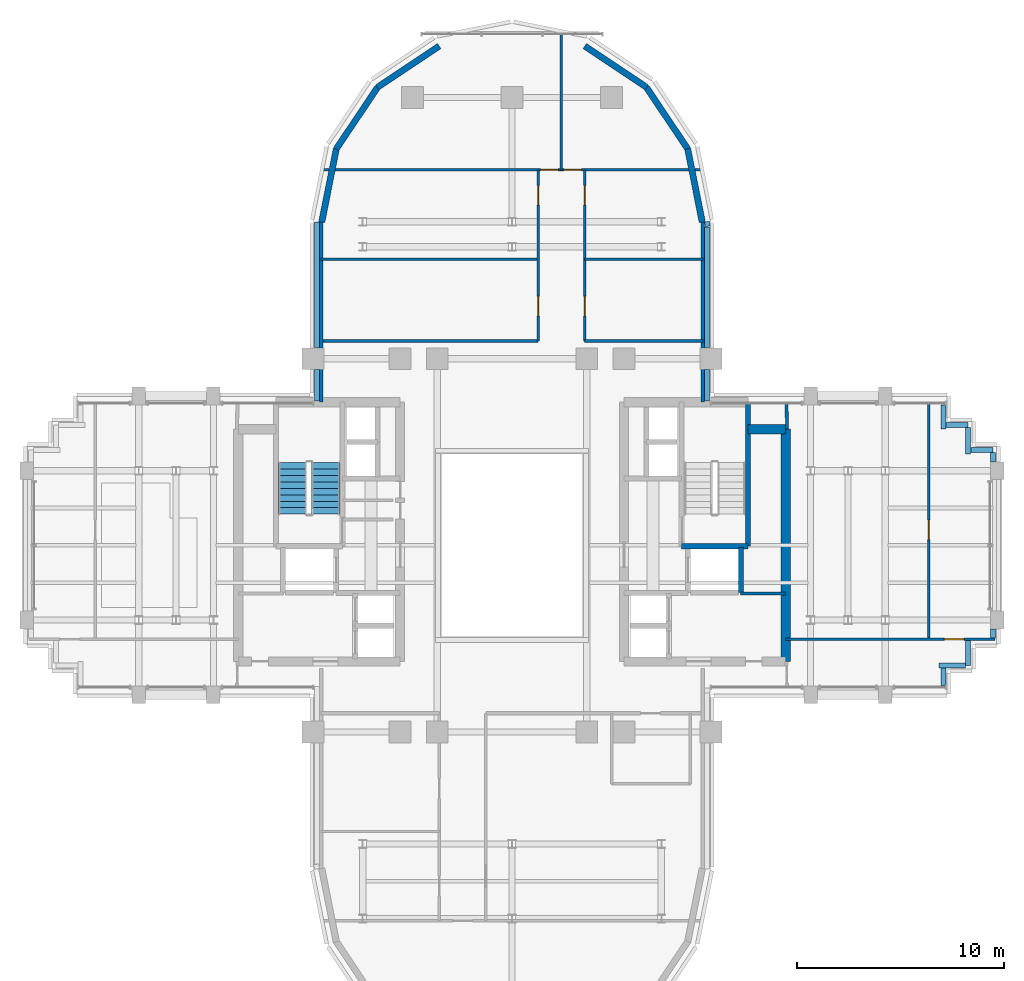
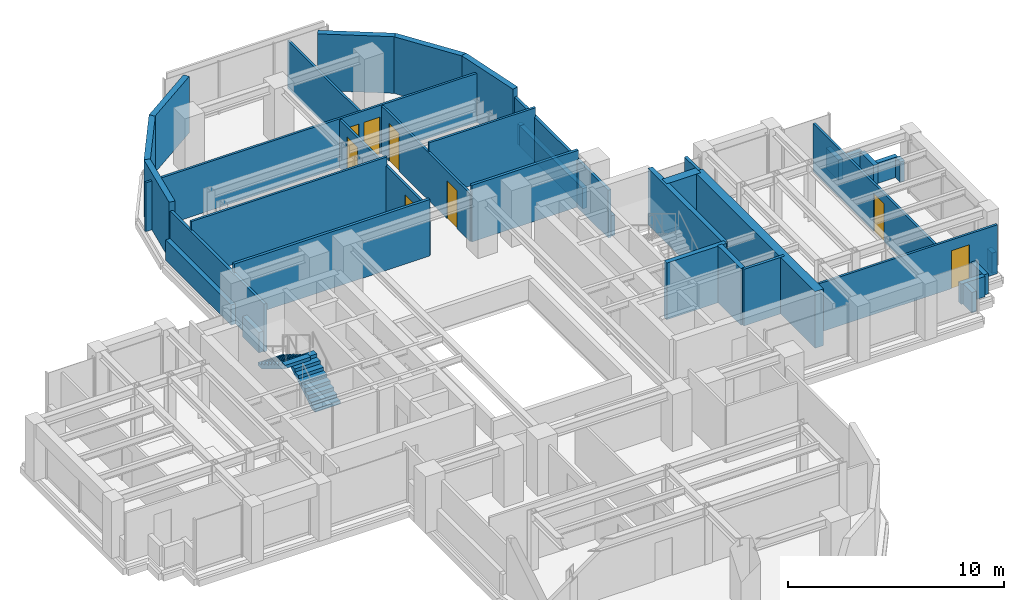
# One storey, part 10 of 14: 39 walls, 8 doors, 2 stair flights, 8 openings, 1 element without a shape of its own.
"""IFC4 building model written with IfcOpenShell, lengths in metres."""

from ifc_helpers import new_model, si_unit, direction, frame, frame_2d, origin, place, context, subcontext, project, spatial, polyline, rectangle, outline, extrude, source, transform, mapped, material, layer, layer_set, type_object, element, fill, aggregate, save


model = new_model("IFC4")

# Units and contexts
model_context = context("Model", 3, precision=1e-05, world=origin(), true_north=direction((0.0, 1.0)))
body_context = subcontext(model_context, "Body", "Model", "MODEL_VIEW")
ifc_project = project(units=[si_unit("LENGTHUNIT", "METRE"), si_unit("AREAUNIT", "SQUARE_METRE"), si_unit("VOLUMEUNIT", "CUBIC_METRE"), si_unit("PLANEANGLEUNIT", "RADIAN"), si_unit("MASSUNIT", "GRAM", prefix="KILO")], contexts=[model_context])

# Site, building, storey
site_placement = place(None, origin())
site = spatial("IfcSite", under=ifc_project, at=site_placement, CompositionType="ELEMENT")
building_placement = place(site_placement, origin())
building = spatial("IfcBuilding", under=site, at=building_placement, Name="Keilestroom Media Tower", CompositionType="ELEMENT")
storey_placement = place(building_placement, frame((0.0, 0.0, 110.800048828125)))
storey = spatial("IfcBuildingStorey", under=building, at=storey_placement, Name="L29", CompositionType="ELEMENT", Elevation=110.800048828125)

# Walls
ifc_material_1 = material(Name="Precast concrete C40/50", Category="concrete")
ifc_layer_1 = layer(ifc_material_1, 0.300048828125)
ifc_layer_set_1 = layer_set([ifc_layer_1], Name="Precast concrete C40/50")
wall_type_1 = type_object("IfcWallType", Name="Exterior-Masonry-Spandrel-Wall-300", PredefinedType="SOLIDWALL", material=ifc_layer_set_1)
for number, where, z_axis, x_axis, name in (
    (1, (9.1748046875, 15.585205078125, 0.0), (0.0, 0.0, 1.0), (-0.195114232679, 0.980780523974, 0.0), "L29 Lobe Facet Precast Frame Wall 01"),
    (2, (8.48193359375, 19.097412109375, 0.0), (0.0, 0.0, 1.0), (-0.555574187116, 0.831466970246, 0.0), "L29 Lobe Facet Precast Frame Wall 02"),
):
    element("IfcWall", number, at=place(storey_placement, frame(where, z_axis=z_axis, x_axis=x_axis)), inside=storey, type_object=wall_type_1, Name=name, PredefinedType="SOLIDWALL", context=body_context, shape_type="SweptSolid", body=[
        extrude(rectangle(XDim=3.608642578125, YDim=0.300048828125, at=frame_2d((1.80419921875, 0.0))), origin(), (0.0, 0.0, 1.0), 3.199951171875),
    ])
for number, where, z_axis, x_axis, name in (
    (3, (6.497802734375, 22.0771484375, 0.0), (0.0, 0.0, 1.0), (-0.8314749531, 0.555562239868, 0.0), "L29 Lobe Facet Precast Frame Wall 03"),
    (4, (-3.510009765625, 24.073486328125, 0.0), (0.0, 0.0, 1.0), (-0.8314749531, -0.555562239868, 0.0), "L29 Lobe Facet Precast Frame Wall 04"),
):
    element("IfcWall", number, at=place(storey_placement, frame(where, z_axis=z_axis, x_axis=x_axis)), inside=storey, type_object=wall_type_1, Name=name, PredefinedType="SOLIDWALL", context=body_context, shape_type="SweptSolid", body=[
        extrude(rectangle(XDim=3.59326171875, YDim=0.300048828125, at=frame_2d((1.796630859375, 0.0))), origin(), (0.0, 0.0, 1.0), 3.199951171875),
    ])
for number, where, z_axis, x_axis, name in (
    (5, (-6.47705078125, 22.097900390625, 0.0), (0.0, 0.0, 1.0), (-0.555574187116, -0.831466970246, 0.0), "L29 Lobe Facet Precast Frame Wall 05"),
    (6, (-8.470703125, 19.12451171875, 0.0), (0.0, 0.0, 1.0), (-0.195114232679, -0.980780523974, 0.0), "L29 Lobe Facet Precast Frame Wall 06"),
):
    element("IfcWall", number, at=place(storey_placement, frame(where, z_axis=z_axis, x_axis=x_axis)), inside=storey, type_object=wall_type_1, Name=name, PredefinedType="SOLIDWALL", context=body_context, shape_type="SweptSolid", body=[
        extrude(rectangle(XDim=3.608642578125, YDim=0.300048828125, at=frame_2d((1.80419921875, 0.0))), origin(), (0.0, 0.0, 1.0), 3.199951171875),
    ])

# Wall, openings, doors
ifc_material_2 = material(Name="Gypsum Plasterboard & Steel Stud", Category="steel")
ifc_layer_2 = layer(ifc_material_2, 0.1201171875)
ifc_layer_set_2 = layer_set([ifc_layer_2], Name="Gypsum Plasterboard & Steel Stud")
wall_type_2 = type_object("IfcWallType", Name="Interior-Partition-Wall-120", PredefinedType="PARTITIONING", material=ifc_layer_set_2)
wall_1_placement = place(storey_placement, frame((1.260009765625, 9.85009765625, 0.0), z_axis=(0.0, 0.0, 1.0), x_axis=(0.0, 1.0, 0.0)))
wall_1 = element("IfcWall", 7, at=wall_1_placement, inside=storey, type_object=wall_type_2, Name="L29 Interior Wall WP-L29-NL-SPW", PredefinedType="PARTITIONING", context=body_context, shape_type="SweptSolid", body=[
    extrude(rectangle(XDim=8.25, YDim=0.1201171875, at=frame_2d((4.125, 0.0))), origin(), (0.0, 0.0, 1.0), 2.699951171875),
])
opening_1_placement = place(wall_1_placement, frame((1.199951171875, 0.0, 0.0)))
opening_1 = element("IfcOpeningElement", 8, at=opening_1_placement, cuts=wall_1, Name="Opening DI-03", PredefinedType="OPENING", context=body_context, shape_type="SweptSolid", body=[
    extrude(rectangle(XDim=0.949951171875, YDim=2.14990234375, at=frame_2d((0.47509765625, 1.074951171875))), frame((0.0, 0.070068359375, 0.0), z_axis=(0.0, -1.0, 0.0), x_axis=(1.0, 0.0, 0.0)), (0.0, 0.0, 1.0), 0.14013671875),
])
opening_2_placement = place(wall_1_placement, frame((6.550048828125, 0.0, 0.0)))
opening_2 = element("IfcOpeningElement", 9, at=opening_2_placement, cuts=wall_1, Name="Opening DI-03", PredefinedType="OPENING", context=body_context, shape_type="SweptSolid", body=[
    extrude(rectangle(XDim=0.949951171875, YDim=2.14990234375, at=frame_2d((0.47509765625, 1.074951171875))), frame((0.0, 0.070068359375, 0.0), z_axis=(0.0, -1.0, 0.0), x_axis=(1.0, 0.0, 0.0)), (0.0, 0.0, 1.0), 0.14013671875),
])
ifc_material_3 = material(Name="Lacquered European Oak Leaf", Category="wood")
door_type_1 = type_object("IfcDoorType", Name="Interior-Room-And-Suite-Door-DI-03", OperationType="NOTDEFINED", PredefinedType="DOOR", material=ifc_material_3)
shared_shape_1 = source(origin(), body_context, "Body", "SweptSolid", [
    extrude(rectangle(XDim=0.949951171875, YDim=2.14990234375, at=frame_2d((0.47509765625, 1.074951171875))), frame((0.0, 0.02490234375, 0.0), z_axis=(0.0, -1.0, 0.0), x_axis=(1.0, 0.0, 0.0)), (0.0, 0.0, 1.0), 0.050048828125),
])
door_1_placement = place(opening_1_placement, origin())
door_1 = element("IfcDoor", 10, at=door_1_placement, inside=storey, type_object=door_type_1, Name="L29 Interior Door DI-L29-DNL-W1", OperationType="SINGLE_SWING_LEFT", OverallHeight=2.14990234375, OverallWidth=0.949951171875, PredefinedType="DOOR", context=body_context, shape_type="MappedRepresentation", body=[
    mapped(shared_shape_1, transform((0.0, 0.0, 0.0), x_axis=(1.0, 0.0, 0.0), y_axis=(0.0, 1.0, 0.0), z_axis=(0.0, 0.0, 1.0), scale=1.0)),
])
fill(opening_1, door_1)
door_2_placement = place(opening_2_placement, origin())
door_2 = element("IfcDoor", 11, at=door_2_placement, inside=storey, type_object=door_type_1, Name="L29 Interior Door DI-L29-DNL-W2", OperationType="SINGLE_SWING_RIGHT", OverallHeight=2.14990234375, OverallWidth=0.949951171875, PredefinedType="DOOR", context=body_context, shape_type="MappedRepresentation", body=[
    mapped(shared_shape_1, transform((0.0, 0.0, 0.0), x_axis=(1.0, 0.0, 0.0), y_axis=(0.0, 1.0, 0.0), z_axis=(0.0, 0.0, 1.0), scale=1.0)),
])
fill(opening_2, door_2)

wall_2_placement = place(storey_placement, frame((3.5, 9.85009765625, 0.0), z_axis=(0.0, 0.0, 1.0), x_axis=(0.0, 1.0, 0.0)))
wall_2 = element("IfcWall", 12, at=wall_2_placement, inside=storey, type_object=wall_type_2, Name="L29 Interior Wall WP-L29-NL-SPE", PredefinedType="PARTITIONING", context=body_context, shape_type="SweptSolid", body=[
    extrude(rectangle(XDim=8.25, YDim=0.1201171875, at=frame_2d((4.125, 0.0))), origin(), (0.0, 0.0, 1.0), 2.699951171875),
])
opening_3_placement = place(wall_2_placement, frame((1.199951171875, 0.0, 0.0)))
opening_3 = element("IfcOpeningElement", 13, at=opening_3_placement, cuts=wall_2, Name="Opening DI-03", PredefinedType="OPENING", context=body_context, shape_type="SweptSolid", body=[
    extrude(rectangle(XDim=0.949951171875, YDim=2.14990234375, at=frame_2d((0.47509765625, 1.074951171875))), frame((0.0, 0.070068359375, 0.0), z_axis=(0.0, -1.0, 0.0), x_axis=(1.0, 0.0, 0.0)), (0.0, 0.0, 1.0), 0.14013671875),
])
opening_4_placement = place(wall_2_placement, frame((6.550048828125, 0.0, 0.0)))
opening_4 = element("IfcOpeningElement", 14, at=opening_4_placement, cuts=wall_2, Name="Opening DI-03", PredefinedType="OPENING", context=body_context, shape_type="SweptSolid", body=[
    extrude(rectangle(XDim=0.949951171875, YDim=2.14990234375, at=frame_2d((0.47509765625, 1.074951171875))), frame((0.0, 0.070068359375, 0.0), z_axis=(0.0, -1.0, 0.0), x_axis=(1.0, 0.0, 0.0)), (0.0, 0.0, 1.0), 0.14013671875),
])
door_3_placement = place(opening_3_placement, origin())
door_3 = element("IfcDoor", 15, at=door_3_placement, inside=storey, type_object=door_type_1, Name="L29 Interior Door DI-L29-DNL-E1", OperationType="SINGLE_SWING_LEFT", OverallHeight=2.14990234375, OverallWidth=0.949951171875, PredefinedType="DOOR", context=body_context, shape_type="MappedRepresentation", body=[
    mapped(shared_shape_1, transform((0.0, 0.0, 0.0), x_axis=(1.0, 0.0, 0.0), y_axis=(0.0, 1.0, 0.0), z_axis=(0.0, 0.0, 1.0), scale=1.0)),
])
fill(opening_3, door_3)
door_4_placement = place(opening_4_placement, origin())
door_4 = element("IfcDoor", 16, at=door_4_placement, inside=storey, type_object=door_type_1, Name="L29 Interior Door DI-L29-DNL-E2", OperationType="SINGLE_SWING_RIGHT", OverallHeight=2.14990234375, OverallWidth=0.949951171875, PredefinedType="DOOR", context=body_context, shape_type="MappedRepresentation", body=[
    mapped(shared_shape_1, transform((0.0, 0.0, 0.0), x_axis=(1.0, 0.0, 0.0), y_axis=(0.0, 1.0, 0.0), z_axis=(0.0, 0.0, 1.0), scale=1.0)),
])
fill(opening_4, door_4)

wall_3_placement = place(storey_placement, frame((-9.159912109375, 18.10009765625, 0.0), z_axis=(0.0, 0.0, 1.0), x_axis=(1.0, 0.0, 0.0)))
wall_3 = element("IfcWall", 17, at=wall_3_placement, inside=storey, type_object=wall_type_2, Name="L29 Interior Wall WP-L29-NL-NTIPW", PredefinedType="PARTITIONING", context=body_context, shape_type="SweptSolid", body=[
    extrude(rectangle(XDim=18.31982421875, YDim=0.1201171875, at=frame_2d((9.159912109375, 0.0))), origin(), (0.0, 0.0, 1.0), 2.760009765625),
])
opening_5_placement = place(wall_3_placement, frame((10.5400390625, 0.0, 0.0)))
opening_5 = element("IfcOpeningElement", 18, at=opening_5_placement, cuts=wall_3, Name="Opening DI-05", PredefinedType="OPENING", context=body_context, shape_type="SweptSolid", body=[
    extrude(rectangle(XDim=0.85009765625, YDim=2.10009765625, at=frame_2d((0.425048828125, 1.050048828125))), frame((0.0, 0.070068359375, 0.0), z_axis=(0.0, -1.0, 0.0), x_axis=(1.0, 0.0, 0.0)), (0.0, 0.0, 1.0), 0.14013671875),
])
opening_6_placement = place(wall_3_placement, frame((11.659912109375, 0.0, 0.0)))
opening_6 = element("IfcOpeningElement", 19, at=opening_6_placement, cuts=wall_3, Name="Opening DI-05", PredefinedType="OPENING", context=body_context, shape_type="SweptSolid", body=[
    extrude(rectangle(XDim=0.85009765625, YDim=2.10009765625, at=frame_2d((0.425048828125, 1.050048828125))), frame((0.0, 0.070068359375, 0.0), z_axis=(0.0, -1.0, 0.0), x_axis=(1.0, 0.0, 0.0)), (0.0, 0.0, 1.0), 0.14013671875),
])
ifc_material_4 = material(Name="Moisture-Resistant Oak Leaf", Category="wood")
door_type_2 = type_object("IfcDoorType", Name="Interior-En-Suite-And-Cupboard-Door-DI-05", OperationType="NOTDEFINED", PredefinedType="DOOR", material=ifc_material_4)
shared_shape_2 = source(origin(), body_context, "Body", "SweptSolid", [
    extrude(rectangle(XDim=0.85009765625, YDim=2.10009765625, at=frame_2d((0.425048828125, 1.050048828125))), frame((0.0, 0.02490234375, 0.0), z_axis=(0.0, -1.0, 0.0), x_axis=(1.0, 0.0, 0.0)), (0.0, 0.0, 1.0), 0.050048828125),
])
door_5_placement = place(opening_5_placement, origin())
door_5 = element("IfcDoor", 20, at=door_5_placement, inside=storey, type_object=door_type_2, Name="L29 Interior Door DI-L29-DNL-TIPW", OperationType="SINGLE_SWING_LEFT", OverallHeight=2.10009765625, OverallWidth=0.85009765625, PredefinedType="DOOR", context=body_context, shape_type="MappedRepresentation", body=[
    mapped(shared_shape_2, transform((0.0, 0.0, 0.0), x_axis=(1.0, 0.0, 0.0), y_axis=(0.0, 1.0, 0.0), z_axis=(0.0, 0.0, 1.0), scale=1.0)),
])
fill(opening_5, door_5)
door_6_placement = place(opening_6_placement, origin())
door_6 = element("IfcDoor", 21, at=door_6_placement, inside=storey, type_object=door_type_2, Name="L29 Interior Door DI-L29-DNL-TIPE", OperationType="SINGLE_SWING_RIGHT", OverallHeight=2.10009765625, OverallWidth=0.85009765625, PredefinedType="DOOR", context=body_context, shape_type="MappedRepresentation", body=[
    mapped(shared_shape_2, transform((0.0, 0.0, 0.0), x_axis=(1.0, 0.0, 0.0), y_axis=(0.0, 1.0, 0.0), z_axis=(0.0, 0.0, 1.0), scale=1.0)),
])
fill(opening_6, door_6)

# Walls
wall_4_placement = place(storey_placement, frame((2.3798828125, 18.10009765625, 0.0), z_axis=(0.0, 0.0, 1.0), x_axis=(0.0, 1.0, 0.0)))
element("IfcWall", 22, at=wall_4_placement, inside=storey, type_object=wall_type_2, Name="L29 Interior Wall WP-L29-NL-TIPM", PredefinedType="PARTITIONING", context=body_context, shape_type="SweptSolid", body=[
    extrude(rectangle(XDim=6.719970703125, YDim=0.1201171875, at=frame_2d((3.35986328125, 0.0))), origin(), (0.0, 0.0, 1.0), 2.699951171875),
])
wall_5_placement = place(storey_placement, frame((-9.199951171875, 13.800048828125, 0.0), z_axis=(0.0, 0.0, 1.0), x_axis=(1.0, 0.0, 0.0)))
element("IfcWall", 23, at=wall_5_placement, inside=storey, type_object=wall_type_2, Name="L29 Interior Wall WP-L29-NL-HWM", PredefinedType="PARTITIONING", context=body_context, shape_type="SweptSolid", body=[
    extrude(rectangle(XDim=10.4599609375, YDim=0.1201171875, at=frame_2d((5.22998046875, 0.0))), origin(), (0.0, 0.0, 1.0), 3.199951171875),
])
wall_6_placement = place(storey_placement, frame((3.5, 13.800048828125, 0.0), z_axis=(0.0, 0.0, 1.0), x_axis=(1.0, 0.0, 0.0)))
element("IfcWall", 24, at=wall_6_placement, inside=storey, type_object=wall_type_2, Name="L29 Interior Wall WP-L29-NL-HEM", PredefinedType="PARTITIONING", context=body_context, shape_type="SweptSolid", body=[
    extrude(rectangle(XDim=5.699951171875, YDim=0.1201171875, at=frame_2d((2.85009765625, 0.0))), origin(), (0.0, 0.0, 1.0), 3.199951171875),
])

# Wall, opening, door
wall_7_placement = place(storey_placement, frame((13.199951171875, -4.530029296875, 0.0), z_axis=(0.0, 0.0, 1.0), x_axis=(1.0, 0.0, 0.0)))
wall_7 = element("IfcWall", 25, at=wall_7_placement, inside=storey, type_object=wall_type_2, Name="L29 Interior Wall WP-L29-EA-CN", PredefinedType="PARTITIONING", context=body_context, shape_type="SweptSolid", body=[
    extrude(rectangle(XDim=10.10009765625, YDim=0.1201171875, at=frame_2d((5.050048828125, 0.0))), origin(), (0.0, 0.0, 1.0), 2.760009765625),
])
opening_7_placement = place(wall_7_placement, frame((7.64990234375, 0.0, 0.0)))
opening_7 = element("IfcOpeningElement", 26, at=opening_7_placement, cuts=wall_7, Name="Opening DI-03", PredefinedType="OPENING", context=body_context, shape_type="SweptSolid", body=[
    extrude(rectangle(XDim=0.949951171875, YDim=2.14990234375, at=frame_2d((0.47509765625, 1.074951171875))), frame((0.0, 0.070068359375, 0.0), z_axis=(0.0, -1.0, 0.0), x_axis=(1.0, 0.0, 0.0)), (0.0, 0.0, 1.0), 0.14013671875),
])
door_7_placement = place(opening_7_placement, origin())
door_7 = element("IfcDoor", 27, at=door_7_placement, inside=storey, type_object=door_type_1, Name="L29 Interior Door DI-L29-DEA-RN2", OperationType="SINGLE_SWING_RIGHT", OverallHeight=2.14990234375, OverallWidth=0.949951171875, PredefinedType="DOOR", context=body_context, shape_type="MappedRepresentation", body=[
    mapped(shared_shape_1, transform((0.0, 0.0, 0.0), x_axis=(1.0, 0.0, 0.0), y_axis=(0.0, 1.0, 0.0), z_axis=(0.0, 0.0, 1.0), scale=1.0)),
])
fill(opening_7, door_7)

wall_8_placement = place(storey_placement, frame((20.10009765625, -4.530029296875, 0.0), z_axis=(0.0, 0.0, 1.0), x_axis=(0.0, 1.0, 0.0)))
wall_8 = element("IfcWall", 28, at=wall_8_placement, inside=storey, type_object=wall_type_2, Name="L29 Interior Wall WP-L29-EA-VM", PredefinedType="PARTITIONING", context=body_context, shape_type="SweptSolid", body=[
    extrude(rectangle(XDim=11.380126953125, YDim=0.1201171875, at=frame_2d((5.68994140625, 0.0))), origin(), (0.0, 0.0, 1.0), 2.699951171875),
])
opening_8_placement = place(wall_8_placement, frame((4.800048828125, 0.0, 0.0)))
opening_8 = element("IfcOpeningElement", 29, at=opening_8_placement, cuts=wall_8, Name="Opening DI-03", PredefinedType="OPENING", context=body_context, shape_type="SweptSolid", body=[
    extrude(rectangle(XDim=0.949951171875, YDim=2.14990234375, at=frame_2d((0.47509765625, 1.074951171875))), frame((0.0, 0.070068359375, 0.0), z_axis=(0.0, -1.0, 0.0), x_axis=(1.0, 0.0, 0.0)), (0.0, 0.0, 1.0), 0.14013671875),
])
door_8_placement = place(opening_8_placement, origin())
door_8 = element("IfcDoor", 30, at=door_8_placement, inside=storey, type_object=door_type_1, Name="L29 Interior Door DI-L29-DEA-RN1", OperationType="SINGLE_SWING_LEFT", OverallHeight=2.14990234375, OverallWidth=0.949951171875, PredefinedType="DOOR", context=body_context, shape_type="MappedRepresentation", body=[
    mapped(shared_shape_1, transform((0.0, 0.0, 0.0), x_axis=(1.0, 0.0, 0.0), y_axis=(0.0, 1.0, 0.0), z_axis=(0.0, 0.0, 1.0), scale=1.0)),
])
fill(opening_8, door_8)

# Walls
ifc_layer_3 = layer(ifc_material_2, 0.14990234375)
ifc_layer_set_3 = layer_set([ifc_layer_3], Name="Gypsum Plasterboard & Steel Stud")
wall_type_3 = type_object("IfcWallType", Name="Interior-Partition-Wall-150", PredefinedType="PARTITIONING", material=ifc_layer_set_3)
wall_9_placement = place(storey_placement, frame((11.02001953125, -2.320068359375, 0.0), z_axis=(0.0, 0.0, 1.0), x_axis=(1.0, 0.0, 0.0)))
element("IfcWall", 31, at=wall_9_placement, inside=storey, type_object=wall_type_3, Name="L29 Interior Wall WP-L29-RECLE-N", PredefinedType="PARTITIONING", context=body_context, shape_type="SweptSolid", body=[
    extrude(rectangle(XDim=2.179931640625, YDim=0.14990234375, at=frame_2d((1.08984375, 0.0))), origin(), (0.0, 0.0, 1.0), 3.199951171875),
])
for number, where, z_axis, x_axis, name in (
    (32, (-9.199951171875, 6.89990234375, 0.0), (0.0, 0.0, 1.0), (0.0, 1.0, 0.0), "L29 Interior Wall WP-L29-NL-CHKW"),
    (33, (9.199951171875, 6.89990234375, 0.0), (0.0, 0.0, 1.0), (0.0, 1.0, 0.0), "L29 Interior Wall WP-L29-NL-CHKE"),
):
    element("IfcWall", number, at=place(storey_placement, frame(where, z_axis=z_axis, x_axis=x_axis)), inside=storey, type_object=wall_type_3, Name=name, PredefinedType="PARTITIONING", context=body_context, shape_type="SweptSolid", body=[
        extrude(rectangle(XDim=8.780029296875, YDim=0.14990234375, at=frame_2d((4.39013671875, 0.0))), origin(), (0.0, 0.0, 1.0), 2.699951171875),
    ])
wall_10_placement = place(storey_placement, frame((-9.199951171875, 9.85009765625, 0.0), z_axis=(0.0, 0.0, 1.0), x_axis=(1.0, 0.0, 0.0)))
element("IfcWall", 34, at=wall_10_placement, inside=storey, type_object=wall_type_3, Name="L29 Interior Wall WP-L29-NL-BASE-W", PredefinedType="PARTITIONING", context=body_context, shape_type="SweptSolid", body=[
    extrude(rectangle(XDim=10.4599609375, YDim=0.14990234375, at=frame_2d((5.22998046875, 0.0))), origin(), (0.0, 0.0, 1.0), 3.199951171875),
])
wall_11_placement = place(storey_placement, frame((3.5, 9.85009765625, 0.0), z_axis=(0.0, 0.0, 1.0), x_axis=(1.0, 0.0, 0.0)))
element("IfcWall", 35, at=wall_11_placement, inside=storey, type_object=wall_type_3, Name="L29 Interior Wall WP-L29-NL-BASE-E", PredefinedType="PARTITIONING", context=body_context, shape_type="SweptSolid", body=[
    extrude(rectangle(XDim=5.699951171875, YDim=0.14990234375, at=frame_2d((2.85009765625, 0.0))), origin(), (0.0, 0.0, 1.0), 3.199951171875),
])
wall_12_placement = place(storey_placement, frame((13.260009765625, 5.60009765625, 0.0), z_axis=(0.0, 0.0, 1.0), x_axis=(-0.016013571389, 0.999871774545, 0.0)))
element("IfcWall", 36, at=wall_12_placement, inside=storey, type_object=wall_type_3, Name="L29 Interior Wall WP-L29-EA-ENTN", PredefinedType="PARTITIONING", context=body_context, shape_type="SweptSolid", body=[
    extrude(rectangle(XDim=1.250244140625, YDim=0.14990234375, at=frame_2d((0.625, 0.0))), origin(), (0.0, 0.0, 1.0), 3.199951171875),
])
ifc_material_5 = material(Name="Concrete C55/67", Category="concrete")
ifc_layer_4 = layer(ifc_material_5, 0.449951171875)
ifc_layer_set_4 = layer_set([ifc_layer_4], Name="Concrete C55/67")
wall_type_4 = type_object("IfcWallType", Name="Reinforced-Concrete-Core-Shear-Wall-450", PredefinedType="SHEAR", material=ifc_layer_set_4)
wall_13_placement = place(storey_placement, frame((13.199951171875, -5.60009765625, 0.0), z_axis=(0.0, 0.0, 1.0), x_axis=(0.0, 1.0, 0.0)))
element("IfcWall", 37, at=wall_13_placement, inside=storey, type_object=wall_type_4, Name="L29 Core Shear Wall WL-L29-CORE-E-OUT", PredefinedType="SHEAR", context=body_context, shape_type="SweptSolid", body=[
    extrude(rectangle(XDim=11.2001953125, YDim=0.449951171875, at=frame_2d((5.60009765625, 0.0))), origin(), (0.0, 0.0, 1.0), 3.199951171875),
])
wall_14_placement = place(storey_placement, frame((11.381103515625, 5.60009765625, 0.0), z_axis=(0.0, 0.0, 1.0), x_axis=(1.0, 0.0, 0.0)))
element("IfcWall", 38, at=wall_14_placement, inside=storey, type_object=wall_type_4, Name="L29 Core Shear Wall WL-L29-CNE-N", PredefinedType="SHEAR", context=body_context, shape_type="SweptSolid", body=[
    extrude(rectangle(XDim=1.81884765625, YDim=0.449951171875, at=frame_2d((0.909423828125, 0.0))), origin(), (0.0, 0.0, 1.0), 3.199951171875),
])
ifc_material_6 = material(Name="Concrete C50/60", Category="concrete")
ifc_layer_5 = layer(ifc_material_6, 0.25)
ifc_layer_set_5 = layer_set([ifc_layer_5], Name="Concrete C50/60")
wall_type_5 = type_object("IfcWallType", Name="Reinforced-Concrete-Shaft-Wall-250", PredefinedType="SOLIDWALL", material=ifc_layer_set_5)
wall_15_placement = place(storey_placement, frame((11.381103515625, -0.041015625, 0.0), z_axis=(0.0, 0.0, 1.0), x_axis=(0.0, 1.0, 0.0)))
element("IfcWall", 39, at=wall_15_placement, inside=storey, type_object=wall_type_5, Name="L29 Core Shear Wall WL-L29-STW-E-FAR", PredefinedType="SOLIDWALL", context=body_context, shape_type="SweptSolid", body=[
    extrude(rectangle(XDim=6.94091796875, YDim=0.25, at=frame_2d((3.470458984375, 0.0))), origin(), (0.0, 0.0, 1.0), 3.199951171875),
])
wall_16_placement = place(storey_placement, frame((8.178955078125, -0.041015625, 0.0), z_axis=(0.0, 0.0, 1.0), x_axis=(1.0, 0.0, 0.0)))
element("IfcWall", 40, at=wall_16_placement, inside=storey, type_object=wall_type_5, Name="L29 Core Shear Wall WL-L29-STW-E-S", PredefinedType="SOLIDWALL", context=body_context, shape_type="SweptSolid", body=[
    extrude(rectangle(XDim=3.2021484375, YDim=0.25, at=frame_2d((1.60107421875, 0.0))), origin(), (0.0, 0.0, 1.0), 3.199951171875),
])
wall_17_placement = place(storey_placement, frame((11.050048828125, -2.280029296875, 0.0), z_axis=(0.0, 0.0, 1.0), x_axis=(0.0, 1.0, 0.0)))
element("IfcWall", 41, at=wall_17_placement, inside=storey, type_object=wall_type_5, Name="L29 Core Shear Wall WL-L29-LSH-FFL-2-E", PredefinedType="SOLIDWALL", context=body_context, shape_type="SweptSolid", body=[
    extrude(rectangle(XDim=2.179931640625, YDim=0.25, at=frame_2d((1.08984375, 0.0))), origin(), (0.0, 0.0, 1.0), 3.199951171875),
])
ifc_layer_6 = layer(ifc_material_1, 0.239990234375)
ifc_layer_set_6 = layer_set([ifc_layer_6], Name="Precast concrete C40/50")
wall_type_6 = type_object("IfcWallType", Name="Roof-And-Terrace-Parapet-Wall-240", PredefinedType="PARAPET", material=ifc_layer_set_6)
wall_18_placement = place(storey_placement, frame((22.0, -4.593017578125, 0.0), z_axis=(0.0, 0.0, 1.0), x_axis=(0.0, -1.0, 0.0)))
element("IfcWall", 42, at=wall_18_placement, inside=storey, type_object=wall_type_6, Name="L29 Perimeter Edge Parapet Wall 01", PredefinedType="PARAPET", context=body_context, shape_type="SweptSolid", body=[
    extrude(rectangle(XDim=1.20703125, YDim=0.239990234375, at=frame_2d((0.603515625, 0.0))), origin(), (0.0, 0.0, 1.0), 1.14990234375),
])
wall_19_placement = place(storey_placement, frame((21.876953125, -5.800048828125, 0.0), z_axis=(0.0, 0.0, 1.0), x_axis=(-1.0, 0.0, 0.0)))
element("IfcWall", 43, at=wall_19_placement, inside=storey, type_object=wall_type_6, Name="L29 Perimeter Edge Parapet Wall 02", PredefinedType="PARAPET", context=body_context, shape_type="SweptSolid", body=[
    extrude(rectangle(XDim=1.27685546875, YDim=0.239990234375, at=frame_2d((0.638427734375, 0.0))), origin(), (0.0, 0.0, 1.0), 1.14990234375),
])
wall_20_placement = place(storey_placement, frame((20.800048828125, -5.923095703125, 0.0), z_axis=(0.0, 0.0, 1.0), x_axis=(0.0, -1.0, 0.0)))
element("IfcWall", 44, at=wall_20_placement, inside=storey, type_object=wall_type_6, Name="L29 Perimeter Edge Parapet Wall 03", PredefinedType="PARAPET", context=body_context, shape_type="SweptSolid", body=[
    extrude(rectangle(XDim=0.833984375, YDim=0.239990234375, at=frame_2d((0.4169921875, 0.0))), origin(), (0.0, 0.0, 1.0), 1.14990234375),
])
wall_21_placement = place(storey_placement, frame((-9.39990234375, 6.952880859375, 0.0), z_axis=(0.0, 0.0, 1.0), x_axis=(0.0, 1.0, 0.0)))
element("IfcWall", 45, at=wall_21_placement, inside=storey, type_object=wall_type_6, Name="L29 Perimeter Edge Parapet Wall 19", PredefinedType="PARAPET", context=body_context, shape_type="SweptSolid", body=[
    extrude(rectangle(XDim=1.51904296875, YDim=0.239990234375, at=frame_2d((0.759521484375, 0.0))), origin(), (0.0, 0.0, 1.0), 1.14990234375),
])
wall_22_placement = place(storey_placement, frame((-9.39990234375, 9.528076171875, 0.0), z_axis=(0.0, 0.0, 1.0), x_axis=(0.0, 1.0, 0.0)))
element("IfcWall", 46, at=wall_22_placement, inside=storey, type_object=wall_type_6, Name="L29 Perimeter Edge Parapet Wall 20", PredefinedType="PARAPET", context=body_context, shape_type="SweptSolid", body=[
    extrude(rectangle(XDim=6.07470703125, YDim=0.239990234375, at=frame_2d((3.037353515625, 0.0))), origin(), (0.0, 0.0, 1.0), 1.14990234375),
])
wall_23_placement = place(storey_placement, frame((9.395263671875, 15.604248046875, 0.0), z_axis=(0.0, 0.0, 1.0), x_axis=(0.194652052864, -0.980872355771, 0.0)))
element("IfcWall", 47, at=wall_23_placement, inside=storey, type_object=wall_type_6, Name="L29 Perimeter Edge Parapet Wall 21", PredefinedType="PARAPET", context=body_context, shape_type="SweptSolid", body=[
    extrude(rectangle(XDim=0.224609375, YDim=0.239990234375, at=frame_2d((0.1123046875, 0.0))), origin(), (0.0, 0.0, 1.0), 1.14990234375),
])
wall_24_placement = place(storey_placement, frame((9.39990234375, 15.357666015625, 0.0), z_axis=(0.0, 0.0, 1.0), x_axis=(0.0, -1.0, 0.0)))
element("IfcWall", 48, at=wall_24_placement, inside=storey, type_object=wall_type_6, Name="L29 Perimeter Edge Parapet Wall 22", PredefinedType="PARAPET", context=body_context, shape_type="SweptSolid", body=[
    extrude(rectangle(XDim=5.82958984375, YDim=0.239990234375, at=frame_2d((2.914794921875, 0.0))), origin(), (0.0, 0.0, 1.0), 1.14990234375),
])
wall_25_placement = place(storey_placement, frame((9.39990234375, 8.471923828125, 0.0), z_axis=(0.0, 0.0, 1.0), x_axis=(0.0, -1.0, 0.0)))
element("IfcWall", 49, at=wall_25_placement, inside=storey, type_object=wall_type_6, Name="L29 Perimeter Edge Parapet Wall 23", PredefinedType="PARAPET", context=body_context, shape_type="SweptSolid", body=[
    extrude(rectangle(XDim=1.51904296875, YDim=0.239990234375, at=frame_2d((0.759521484375, 0.0))), origin(), (0.0, 0.0, 1.0), 1.14990234375),
])
wall_26_placement = place(storey_placement, frame((20.800048828125, 6.757080078125, 0.0), z_axis=(0.0, 0.0, 1.0), x_axis=(0.0, -1.0, 0.0)))
element("IfcWall", 50, at=wall_26_placement, inside=storey, type_object=wall_type_6, Name="L29 Perimeter Edge Parapet Wall 24", PredefinedType="PARAPET", context=body_context, shape_type="SweptSolid", body=[
    extrude(rectangle(XDim=1.156982421875, YDim=0.239990234375, at=frame_2d((0.57861328125, 0.0))), origin(), (0.0, 0.0, 1.0), 1.14990234375),
])
wall_27_placement = place(storey_placement, frame((20.923095703125, 5.800048828125, 0.0), z_axis=(0.0, 0.0, 1.0), x_axis=(1.0, 0.0, 0.0)))
element("IfcWall", 51, at=wall_27_placement, inside=storey, type_object=wall_type_6, Name="L29 Perimeter Edge Parapet Wall 25", PredefinedType="PARAPET", context=body_context, shape_type="SweptSolid", body=[
    extrude(rectangle(XDim=1.076904296875, YDim=0.239990234375, at=frame_2d((0.53857421875, 0.0))), origin(), (0.0, 0.0, 1.0), 1.14990234375),
])
wall_28_placement = place(storey_placement, frame((22.0, 5.677001953125, 0.0), z_axis=(0.0, 0.0, 1.0), x_axis=(0.0, -1.0, 0.0)))
element("IfcWall", 52, at=wall_28_placement, inside=storey, type_object=wall_type_6, Name="L29 Perimeter Edge Parapet Wall 26", PredefinedType="PARAPET", context=body_context, shape_type="SweptSolid", body=[
    extrude(rectangle(XDim=1.277099609375, YDim=0.239990234375, at=frame_2d((0.638671875, 0.0))), origin(), (0.0, 0.0, 1.0), 1.14990234375),
])
wall_29_placement = place(storey_placement, frame((22.123046875, 4.60009765625, 0.0), z_axis=(0.0, 0.0, 1.0), x_axis=(1.0, 0.0, 0.0)))
element("IfcWall", 53, at=wall_29_placement, inside=storey, type_object=wall_type_6, Name="L29 Perimeter Edge Parapet Wall 27", PredefinedType="PARAPET", context=body_context, shape_type="SweptSolid", body=[
    extrude(rectangle(XDim=1.076904296875, YDim=0.239990234375, at=frame_2d((0.53857421875, 0.0))), origin(), (0.0, 0.0, 1.0), 1.14990234375),
])
wall_30_placement = place(storey_placement, frame((23.199951171875, 4.47705078125, 0.0), z_axis=(0.0, 0.0, 1.0), x_axis=(0.0, -1.0, 0.0)))
element("IfcWall", 54, at=wall_30_placement, inside=storey, type_object=wall_type_6, Name="L29 Perimeter Edge Parapet Wall 28", PredefinedType="PARAPET", context=body_context, shape_type="SweptSolid", body=[
    extrude(rectangle(XDim=0.448974609375, YDim=0.239990234375, at=frame_2d((0.224609375, 0.0))), origin(), (0.0, 0.0, 1.0), 1.14990234375),
])
wall_31_placement = place(storey_placement, frame((23.199951171875, -4.028076171875, 0.0), z_axis=(0.0, 0.0, 1.0), x_axis=(0.0, -1.0, 0.0)))
element("IfcWall", 55, at=wall_31_placement, inside=storey, type_object=wall_type_6, Name="L29 Perimeter Edge Parapet Wall 29", PredefinedType="PARAPET", context=body_context, shape_type="SweptSolid", body=[
    extrude(rectangle(XDim=0.43896484375, YDim=0.239990234375, at=frame_2d((0.219482421875, 0.0))), origin(), (0.0, 0.0, 1.0), 1.14990234375),
])

# Stair, stair flights
ifc_material_7 = material(Name="Concrete C45/55", Category="concrete")
stair_type = type_object("IfcStairType", Name="Enclosed-Dog-Leg-Stair-ST-CORE", PredefinedType="HALF_TURN_STAIR", material=ifc_material_7)
stair_placement = place(storey_placement, origin())
stair = element("IfcStair", 56, at=stair_placement, inside=storey, type_object=stair_type, Name="L29 West Core Escape Stair ST-1", PredefinedType="HALF_TURN_STAIR")
stair_flight_type = type_object("IfcStairFlightType", Name="Precast-Concrete-Stair-Flight-Core-160", PredefinedType="STRAIGHT", material=ifc_material_1)
stair_flight_1_placement = place(storey_placement, frame((-8.97998046875, 1.5, 0.0), z_axis=(0.0, 0.0, 1.0), x_axis=(0.0, 1.0, 0.0)))
stair_flight_1 = element("IfcStairFlight", 57, at=stair_flight_1_placement, type_object=stair_flight_type, Name="ST-1 flight 1", NumberOfRisers=9, NumberOfTreads=8, PredefinedType="STRAIGHT", RiserHeight=0.188888889, TreadLength=0.312, context=body_context, shape_type="SweptSolid", body=[
    extrude(outline(polyline([(0.0, 0.0), (0.0, 0.18896484375), (0.31201171875, 0.18896484375), (0.31201171875, 0.377685546875), (0.6240234375, 0.377685546875), (0.6240234375, 0.566650390625), (0.93603515625, 0.566650390625), (0.93603515625, 0.755615234375), (1.248046875, 0.755615234375), (1.248046875, 0.9443359375), (1.56005859375, 0.9443359375), (1.56005859375, 1.13330078125), (1.8720703125, 1.13330078125), (1.8720703125, 1.322265625), (2.18408203125, 1.322265625), (2.18408203125, 1.51123046875), (2.49609375, 1.51123046875), (2.49609375, 1.699951171875), (2.49609375, 1.32421875), (0.308837890625, 0.0), (0.0, 0.0)])), frame((0.0, 0.68017578125, 0.0), z_axis=(0.0, -1.0, 0.0), x_axis=(1.0, 0.0, 0.0)), (0.0, 0.0, 1.0), 1.360107421875),
])
stair_flight_2_placement = place(storey_placement, frame((-10.580078125, 3.99609375, 1.699951171875), z_axis=(0.0, 0.0, 1.0), x_axis=(0.0, -1.0, 0.0)))
stair_flight_2 = element("IfcStairFlight", 58, at=stair_flight_2_placement, type_object=stair_flight_type, Name="ST-1 flight 2", NumberOfRisers=9, NumberOfTreads=8, PredefinedType="STRAIGHT", RiserHeight=0.188888889, TreadLength=0.312, context=body_context, shape_type="SweptSolid", body=[
    extrude(outline(polyline([(0.0, 0.0), (0.0, 0.18896484375), (0.31201171875, 0.18896484375), (0.31201171875, 0.377685546875), (0.6240234375, 0.377685546875), (0.6240234375, 0.566650390625), (0.93603515625, 0.566650390625), (0.93603515625, 0.755615234375), (1.248046875, 0.755615234375), (1.248046875, 0.9443359375), (1.56005859375, 0.9443359375), (1.56005859375, 1.13330078125), (1.8720703125, 1.13330078125), (1.8720703125, 1.322265625), (2.18408203125, 1.322265625), (2.18408203125, 1.51123046875), (2.49609375, 1.51123046875), (2.49609375, 1.699951171875), (2.49609375, 1.32421875), (0.308837890625, 0.0), (0.0, 0.0)])), frame((0.0, 0.68017578125, 0.0), z_axis=(0.0, -1.0, 0.0), x_axis=(1.0, 0.0, 0.0)), (0.0, 0.0, 1.0), 1.360107421875),
])
aggregate(stair, [stair_flight_1, stair_flight_2])

save(model, "model.ifc")
